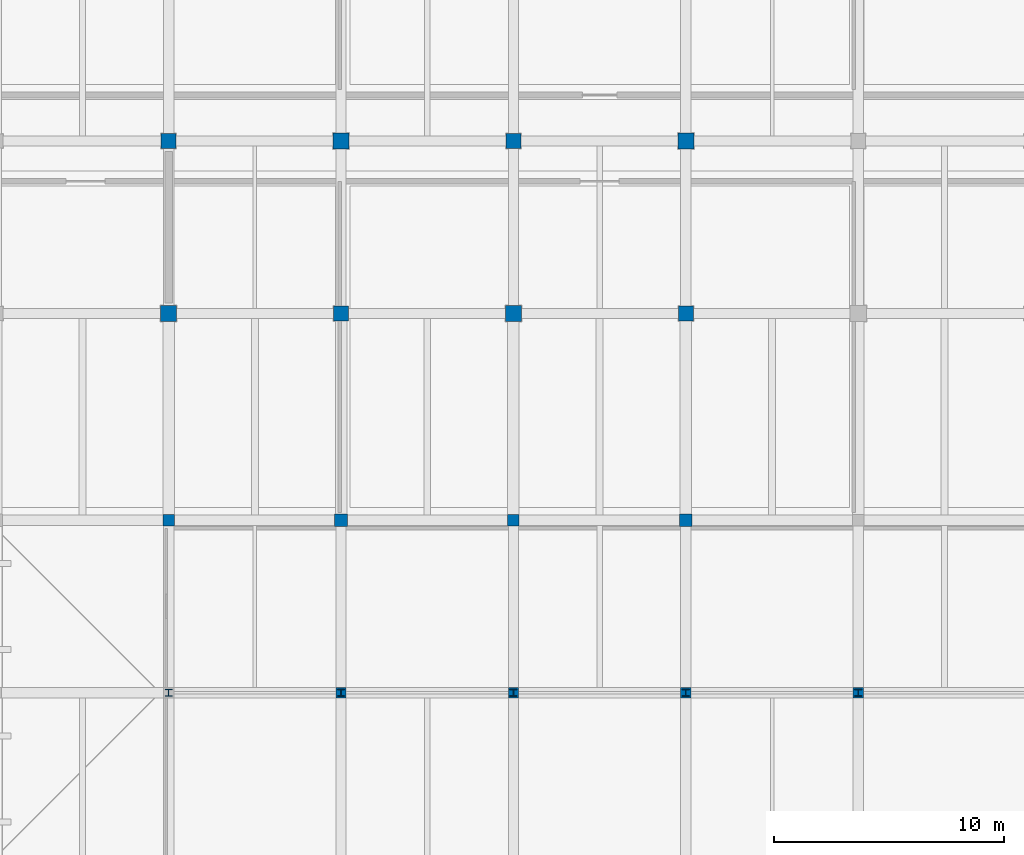
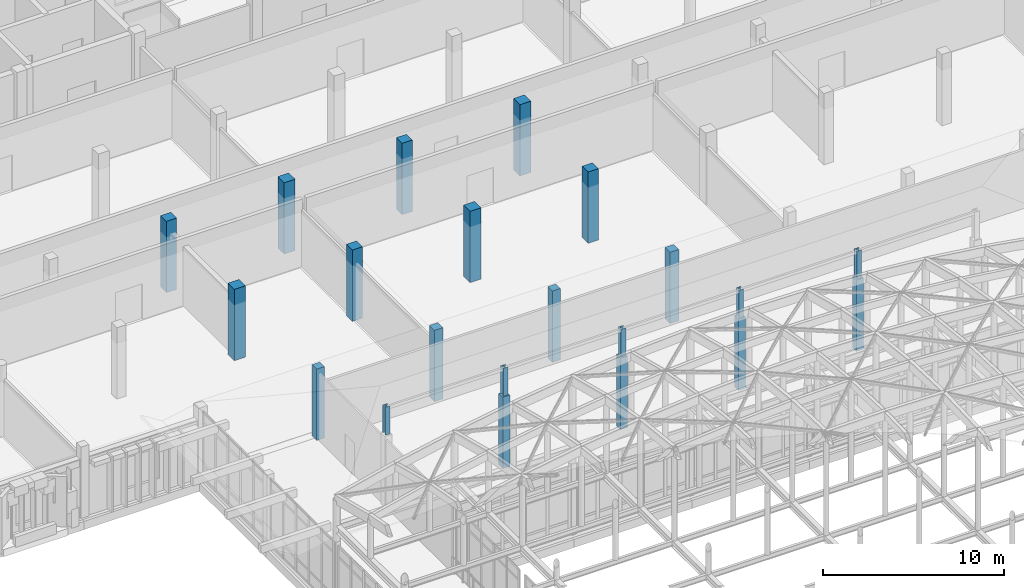
# One storey, part 8 of 131: 21 columns.
"""IFC4 building model written with IfcOpenShell, lengths in metres."""

import ifcopenshell
import ifcopenshell.guid

model = None  # the IFC model being written
_history = None  # IfcOwnerHistory: only IFC2X3 demands one
_inside = {}  # id of a spatial element -> (the spatial element, [elements in it])
_under = {}  # id of a project, library or spatial element -> (it, [spatial elements below it])
_declared = {}  # id of a project -> (the project, [libraries it declares])
_typed = {}  # id of a type object -> (the type object, [elements of that type])
_made_of = {}  # id of a material, layer set ... -> (it, [elements and type objects made of it])


def new_model(schema):
    """Start an empty IFC model of exactly this schema.

    Asked for "IFC4X3", IfcOpenShell would pick the latest addendum, in which some entities
    have other attributes; the version numbers below select the first issue.
    IFC2X3 requires an IfcOwnerHistory on every rooted entity: one is made here for all.
    """
    global model, _history
    if schema == "IFC4X3":
        model = ifcopenshell.file(schema_version=(4, 3, 0, 0))
    else:
        model = ifcopenshell.file(schema=schema)
    _inside.clear()
    _under.clear()
    _declared.clear()
    _typed.clear()
    _made_of.clear()
    _history = None
    if model.schema == "IFC2X3":
        org = make("IfcOrganization", Name="unknown")
        user = make(
            "IfcPersonAndOrganization",
            ThePerson=make("IfcPerson", FamilyName="unknown"),
            TheOrganization=org,
        )
        app = make(
            "IfcApplication",
            ApplicationDeveloper=org,
            Version="unknown",
            ApplicationFullName="unknown",
            ApplicationIdentifier="unknown",
        )
        _history = make(
            "IfcOwnerHistory",
            OwningUser=user,
            OwningApplication=app,
            ChangeAction="ADDED",
            CreationDate=0,
        )
    return model


def make(cls, **values):
    """One entity of the class cls with the attributes given. An attribute that is None is left unset."""
    return model.create_entity(
        cls, **{name: value for name, value in values.items() if value is not None}
    )


def rooted(cls, **values):
    """An entity with a GlobalId (a new one), such as an element, a storey or a relation."""
    return make(cls, GlobalId=ifcopenshell.guid.new(), OwnerHistory=_history, **values)


def si_unit(unit_type, name, prefix=None):
    """IfcSIUnit, for example si_unit("LENGTHUNIT", "METRE", prefix="MILLI")."""
    return make("IfcSIUnit", UnitType=unit_type, Prefix=prefix, Name=name)


def assignment(units):
    """IfcUnitAssignment: the units of a project."""
    return None if units is None else make("IfcUnitAssignment", Units=units)


def point(xyz):
    """IfcCartesianPoint."""
    return None if xyz is None else make("IfcCartesianPoint", Coordinates=xyz)


def direction(xyz):
    """IfcDirection."""
    return None if xyz is None else make("IfcDirection", DirectionRatios=xyz)


def frame(location, z_axis=None, x_axis=None):
    """IfcAxis2Placement3D, a coordinate frame: its origin and axes. An axis left out is left unset."""
    return make(
        "IfcAxis2Placement3D",
        Location=point(location),
        Axis=direction(z_axis),
        RefDirection=direction(x_axis),
    )


def frame_2d(location, x_axis=None):
    """IfcAxis2Placement2D, a coordinate frame in the plane: its origin and x axis."""
    return make(
        "IfcAxis2Placement2D", Location=point(location), RefDirection=direction(x_axis)
    )


def origin():
    """The frame at (0, 0, 0) with its axes left unset."""
    return frame((0.0, 0.0, 0.0))


def origin_2d():
    """The frame at (0, 0) in the plane with its x axis left unset."""
    return frame_2d((0.0, 0.0))


def place(relative_to, where):
    """IfcLocalPlacement: puts the frame where relative to a parent placement (None: the world)."""
    return make(
        "IfcLocalPlacement", PlacementRelTo=relative_to, RelativePlacement=where
    )


def context(
    kind, dimensions, precision=None, world=None, true_north=None, identifier=None
):
    """IfcGeometricRepresentationContext, for example the 3D "Model" context."""
    return make(
        "IfcGeometricRepresentationContext",
        ContextIdentifier=identifier,
        ContextType=kind,
        CoordinateSpaceDimension=dimensions,
        Precision=precision,
        WorldCoordinateSystem=world,
        TrueNorth=true_north,
    )


def subcontext(parent, identifier, kind, view, scale=None):
    """IfcGeometricRepresentationSubContext, for example "Body" below "Model"."""
    return make(
        "IfcGeometricRepresentationSubContext",
        ContextIdentifier=identifier,
        ContextType=kind,
        ParentContext=parent,
        TargetScale=scale,
        TargetView=view,
    )


def project(units=None, contexts=None):
    """IfcProject with its units and contexts."""
    return rooted(
        "IfcProject",
        Name="project",
        RepresentationContexts=contexts,
        UnitsInContext=assignment(units),
    )


def spatial(cls, under=None, at=None, **own):
    """A site, building, storey or space (cls), placed at a placement, below another one or the project."""
    s = rooted(cls, ObjectPlacement=at, **own)
    if under is not None:
        _under.setdefault(under.id(), (under, []))[1].append(s)
    return s


def profile(cls, at=None, kind="AREA", **sizes):
    """A parametric profile (cls). Its sizes go by their IFC names, for example OverallWidth=200.0."""
    return make(cls, ProfileType=kind, Position=at, **sizes)


def rectangle(**sizes):
    """IfcRectangleProfileDef."""
    return profile("IfcRectangleProfileDef", **sizes)


def i_section(**sizes):
    """IfcIShapeProfileDef."""
    return profile("IfcIShapeProfileDef", **sizes)


def extrude(swept, where, along, depth):
    """IfcExtrudedAreaSolid: the profile swept, set in the frame where, extruded along a direction by depth."""
    return make(
        "IfcExtrudedAreaSolid",
        SweptArea=swept,
        Position=where,
        ExtrudedDirection=direction(along),
        Depth=depth,
    )


def shape(context_of_items, identifier, shape_type, items):
    """IfcShapeRepresentation: the items that make up one representation, for example the "Body"."""
    return make(
        "IfcShapeRepresentation",
        ContextOfItems=context_of_items,
        RepresentationIdentifier=identifier,
        RepresentationType=shape_type,
        Items=items,
    )


def material(Name=None, Category=None):
    """IfcMaterial."""
    return make("IfcMaterial", Name=Name, Category=Category)


def material_profile(
    of_material, cross_section, Name=None, Category=None, Priority=None
):
    """IfcMaterialProfile: a cross section and its material."""
    return make(
        "IfcMaterialProfile",
        Name=Name,
        Material=of_material,
        Profile=cross_section,
        Priority=Priority,
        Category=Category,
    )


def profile_set(profiles, Name=None, composite=None):
    """IfcMaterialProfileSet."""
    return make(
        "IfcMaterialProfileSet",
        Name=Name,
        MaterialProfiles=profiles,
        CompositeProfile=composite,
    )


def made_of(thing, what):
    """Note that an element or type object is made of a material, layer set ...; save() writes the relation."""
    if what is not None:
        _made_of.setdefault(what.id(), (what, []))[1].append(thing)
    return thing


def type_object(cls, material=None, **own):
    """A type object (cls), such as IfcWallType, which elements share."""
    return made_of(rooted(cls, **own), material)


def element(
    cls,
    number,
    at=None,
    inside=None,
    cuts=None,
    type_object=None,
    material=None,
    context=None,
    identifier="Body",
    shape_type=None,
    held_by="IfcProductDefinitionShape",
    body=None,
    shapes=None,
    **own,
):
    """One element of the class cls, such as IfcWall. Its Tag is "e" and its number.

    at: its placement. inside: the storey or other place that contains it. cuts: it is an
    opening in that element (IfcRelVoidsElement). A single representation is given by context,
    identifier, shape_type and body (its items); several are given by shapes. held_by: the class
    of the entity that holds the representations. save() writes the other relations.
    """
    e = rooted(cls, Tag="e%d" % number, ObjectPlacement=at, **own)
    if body is not None:
        shapes = [shape(context, identifier, shape_type, body)]
    if shapes is not None:
        e.Representation = make(held_by, Representations=shapes)
    if inside is not None:
        _inside.setdefault(inside.id(), (inside, []))[1].append(e)
    if cuts is not None:
        rooted(
            "IfcRelVoidsElement", RelatingBuildingElement=cuts, RelatedOpeningElement=e
        )
    if type_object is not None:
        _typed.setdefault(type_object.id(), (type_object, []))[1].append(e)
    return made_of(e, material)


def aggregate(whole, parts):
    """IfcRelAggregates: a whole, such as a stair, and the parts it consists of."""
    return rooted("IfcRelAggregates", RelatingObject=whole, RelatedObjects=parts)


def save(model, path):
    """Write the relations noted so far, then the file.

    IfcRelAggregates (storeys below a building ...), IfcRelContainedInSpatialStructure (elements
    in a storey), IfcRelDefinesByType, IfcRelAssociatesMaterial and IfcRelDeclares: one each for
    every whole, place, type object, material and project.
    """
    for whole, parts in _under.values():
        aggregate(whole, parts)
    for where, things in _inside.values():
        rooted(
            "IfcRelContainedInSpatialStructure",
            RelatedElements=things,
            RelatingStructure=where,
        )
    for kind, things in _typed.values():
        rooted("IfcRelDefinesByType", RelatedObjects=things, RelatingType=kind)
    for what, things in _made_of.values():
        rooted("IfcRelAssociatesMaterial", RelatedObjects=things, RelatingMaterial=what)
    for by, libraries in _declared.values():
        rooted("IfcRelDeclares", RelatingContext=by, RelatedDefinitions=libraries)
    model.write(path)


model = new_model("IFC4")

# Units and contexts
model_context = context("Model", 3, precision=1e-05, world=origin(), true_north=direction((0.0, 1.0)))
body_context = subcontext(model_context, "Body", "Model", "MODEL_VIEW")
ifc_project = project(units=[si_unit("LENGTHUNIT", "METRE"), si_unit("AREAUNIT", "SQUARE_METRE"), si_unit("VOLUMEUNIT", "CUBIC_METRE"), si_unit("PLANEANGLEUNIT", "RADIAN"), si_unit("MASSUNIT", "GRAM", prefix="KILO")], contexts=[model_context])

# Site, building, storey
site_placement = place(None, origin())
site = spatial("IfcSite", under=ifc_project, at=site_placement, CompositionType="ELEMENT")
building_placement = place(site_placement, origin())
building = spatial("IfcBuilding", under=site, at=building_placement, Name="Dalvernix Boulevard General Hospital", CompositionType="ELEMENT")
storey_placement = place(building_placement, frame((0.0, 0.0, 9.300048828125)))
storey = spatial("IfcBuildingStorey", under=building, at=storey_placement, Name="L02", CompositionType="ELEMENT", Elevation=9.300048828125)

# Columns
ifc_material_1 = material(Name="Concrete C40/50", Category="concrete")
ifc_material_profile_1 = material_profile(ifc_material_1, rectangle(XDim=0.699951171875, YDim=0.699951171875, at=origin_2d()), Name="RC 700x700")
ifc_profile_set_1 = profile_set([ifc_material_profile_1], Name="Concrete C40/50")
column_type_1 = type_object("IfcColumnType", Name="COL-C-05-I", PredefinedType="COLUMN", material=ifc_profile_set_1)
for number, where, z_axis, x_axis, name in (
    (1, (67.5, 85.5, 0.0), (0.0, 0.0, 1.0), (1.0, 0.0, 0.0), "L02 column 10M"),
    (2, (75.0, 93.0, 0.0), (0.0, 0.0, 1.0), (1.0, 0.0, 0.0), "L02 column 11N"),
    (3, (82.5, 85.5, 0.0), (0.0, 0.0, 1.0), (1.0, 0.0, 0.0), "L02 column 12M"),
    (4, (90.0, 93.0, 0.0), (0.0, 0.0, 1.0), (1.0, 0.0, 0.0), "L02 column 13N"),
):
    element("IfcColumn", number, at=place(storey_placement, frame(where, z_axis=z_axis, x_axis=x_axis)), inside=storey, type_object=column_type_1, Name=name, PredefinedType="COLUMN", context=body_context, shape_type="SweptSolid", body=[
        extrude(rectangle(XDim=0.699951171875, YDim=0.699951171875, at=origin_2d()), origin(), (0.0, 0.0, 1.0), 4.800048828125),
    ])
ifc_material_profile_2 = material_profile(ifc_material_1, rectangle(XDim=0.64990234375, YDim=0.64990234375, at=origin_2d()), Name="RC 650x650")
ifc_profile_set_2 = profile_set([ifc_material_profile_2], Name="Concrete C40/50")
column_type_2 = type_object("IfcColumnType", Name="COL-C-06-I", PredefinedType="COLUMN", material=ifc_profile_set_2)
for number, where, z_axis, x_axis, name in (
    (5, (67.5, 93.0, 0.0), (0.0, 0.0, 1.0), (1.0, 0.0, 0.0), "L02 column 10N"),
    (6, (75.0, 85.5, 0.0), (0.0, 0.0, 1.0), (1.0, 0.0, 0.0), "L02 column 11M"),
    (7, (82.5, 93.0, 0.0), (0.0, 0.0, 1.0), (1.0, 0.0, 0.0), "L02 column 12N"),
    (8, (90.0, 85.5, 0.0), (0.0, 0.0, 1.0), (1.0, 0.0, 0.0), "L02 column 13M"),
):
    element("IfcColumn", number, at=place(storey_placement, frame(where, z_axis=z_axis, x_axis=x_axis)), inside=storey, type_object=column_type_2, Name=name, PredefinedType="COLUMN", context=body_context, shape_type="SweptSolid", body=[
        extrude(rectangle(XDim=0.64990234375, YDim=0.64990234375, at=origin_2d()), origin(), (0.0, 0.0, 1.0), 4.800048828125),
    ])
ifc_material_profile_3 = material_profile(ifc_material_1, rectangle(XDim=0.550048828125, YDim=0.550048828125, at=origin_2d()), Name="RC 550x550")
ifc_profile_set_3 = profile_set([ifc_material_profile_3], Name="Concrete C40/50")
column_type_3 = type_object("IfcColumnType", Name="COL-C-08-I", PredefinedType="COLUMN", material=ifc_profile_set_3)
for number, where, z_axis, x_axis, name in (
    (9, (75.0, 76.5, 0.0), (0.0, 0.0, 1.0), (1.0, 0.0, 0.0), "L02 column 11L"),
    (10, (90.0, 76.5, 0.0), (0.0, 0.0, 1.0), (1.0, 0.0, 0.0), "L02 column 13L"),
):
    element("IfcColumn", number, at=place(storey_placement, frame(where, z_axis=z_axis, x_axis=x_axis)), inside=storey, type_object=column_type_3, Name=name, PredefinedType="COLUMN", context=body_context, shape_type="SweptSolid", body=[
        extrude(rectangle(XDim=0.550048828125, YDim=0.550048828125, at=origin_2d()), origin(), (0.0, 0.0, 1.0), 4.800048828125),
    ])
ifc_material_profile_4 = material_profile(ifc_material_1, rectangle(XDim=0.5, YDim=0.5, at=origin_2d()), Name="RC 500x500")
ifc_profile_set_4 = profile_set([ifc_material_profile_4], Name="Concrete C40/50")
column_type_4 = type_object("IfcColumnType", Name="COL-C-09-I", PredefinedType="COLUMN", material=ifc_profile_set_4)
for number, where, z_axis, x_axis, name in (
    (11, (67.5, 76.5, 0.0), (0.0, 0.0, 1.0), (1.0, 0.0, 0.0), "L02 column 10L"),
    (12, (82.5, 76.5, 0.0), (0.0, 0.0, 1.0), (1.0, 0.0, 0.0), "L02 column 12L"),
):
    element("IfcColumn", number, at=place(storey_placement, frame(where, z_axis=z_axis, x_axis=x_axis)), inside=storey, type_object=column_type_4, Name=name, PredefinedType="COLUMN", context=body_context, shape_type="SweptSolid", body=[
        extrude(rectangle(XDim=0.5, YDim=0.5, at=origin_2d()), origin(), (0.0, 0.0, 1.0), 4.800048828125),
    ])
ifc_material_profile_5 = material_profile(ifc_material_1, rectangle(XDim=0.449951171875, YDim=0.449951171875, at=origin_2d()), Name="RC 450x450")
ifc_profile_set_5 = profile_set([ifc_material_profile_5], Name="Concrete C40/50")
column_type_5 = type_object("IfcColumnType", Name="COL-C-10-I", PredefinedType="COLUMN", material=ifc_profile_set_5)
for number, where, z_axis, x_axis, name in (
    (13, (75.0, 69.0, 0.0), (0.0, 0.0, 1.0), (1.0, 0.0, 0.0), "L02 column 11K"),
    (14, (82.5, 69.0, 0.0), (0.0, 0.0, 1.0), (1.0, 0.0, 0.0), "L02 column 12K"),
    (15, (90.0, 69.0, 0.0), (0.0, 0.0, 1.0), (1.0, 0.0, 0.0), "L02 column 13K"),
    (16, (97.5, 69.0, 0.0), (0.0, 0.0, 1.0), (1.0, 0.0, 0.0), "L02 column 14K"),
):
    element("IfcColumn", number, at=place(storey_placement, frame(where, z_axis=z_axis, x_axis=x_axis)), inside=storey, type_object=column_type_5, Name=name, PredefinedType="COLUMN", context=body_context, shape_type="SweptSolid", body=[
        extrude(rectangle(XDim=0.449951171875, YDim=0.449951171875, at=origin_2d()), origin(), (0.0, 0.0, 1.0), 4.800048828125),
    ])
ifc_material_2 = material(Name="Steel S355", Category="steel")
ifc_material_profile_6 = material_profile(ifc_material_2, i_section(OverallWidth=0.300048828125, OverallDepth=0.300048828125, WebThickness=0.010986328125, FlangeThickness=0.01904296875, FilletRadius=0.027099609375, at=origin_2d()), Name="HEB 300")
ifc_profile_set_6 = profile_set([ifc_material_profile_6], Name="Steel S355")
column_type_6 = type_object("IfcColumnType", Name="COL-C-18", PredefinedType="COLUMN", material=ifc_profile_set_6)
for number, where, z_axis, x_axis, name in (
    (17, (67.5, 69.0, 4.800048828125), (0.0, 0.0, 1.0), (1.0, 0.0, 0.0), "V1N roof king post 10K"),
    (18, (75.0, 69.0, 4.800048828125), (0.0, 0.0, 1.0), (1.0, 0.0, 0.0), "V1N roof king post 11K"),
    (19, (82.5, 69.0, 4.800048828125), (0.0, 0.0, 1.0), (1.0, 0.0, 0.0), "V1N roof king post 12K"),
    (20, (90.0, 69.0, 4.800048828125), (0.0, 0.0, 1.0), (1.0, 0.0, 0.0), "V1N roof king post 13K"),
    (21, (97.5, 69.0, 4.800048828125), (0.0, 0.0, 1.0), (1.0, 0.0, 0.0), "V1N roof king post 14K"),
):
    element("IfcColumn", number, at=place(storey_placement, frame(where, z_axis=z_axis, x_axis=x_axis)), inside=storey, type_object=column_type_6, Name=name, PredefinedType="COLUMN", context=body_context, shape_type="SweptSolid", body=[
        extrude(i_section(OverallWidth=0.300048828125, OverallDepth=0.300048828125, WebThickness=0.010986328125, FlangeThickness=0.01904296875, FilletRadius=0.027099609375, at=origin_2d()), origin(), (0.0, 0.0, 1.0), 1.87158203125),
    ])

save(model, "model.ifc")
